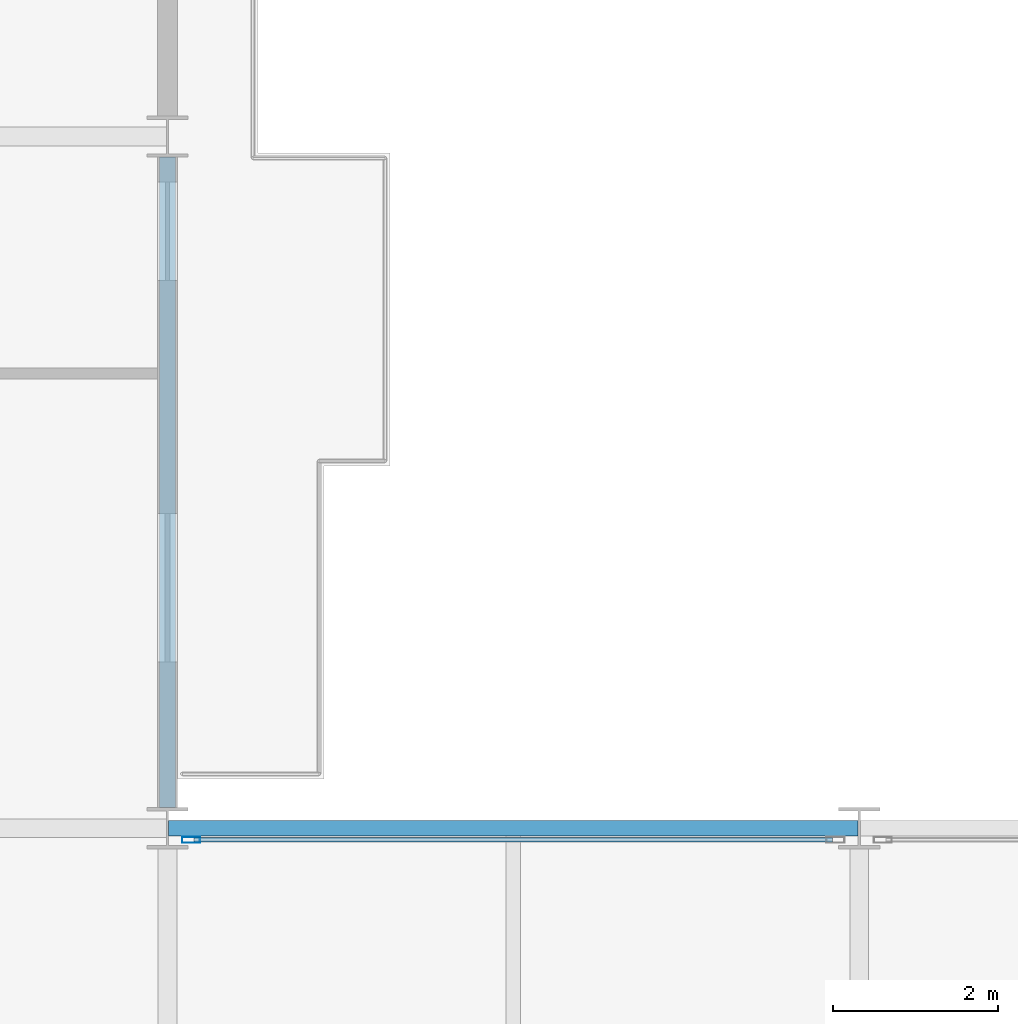
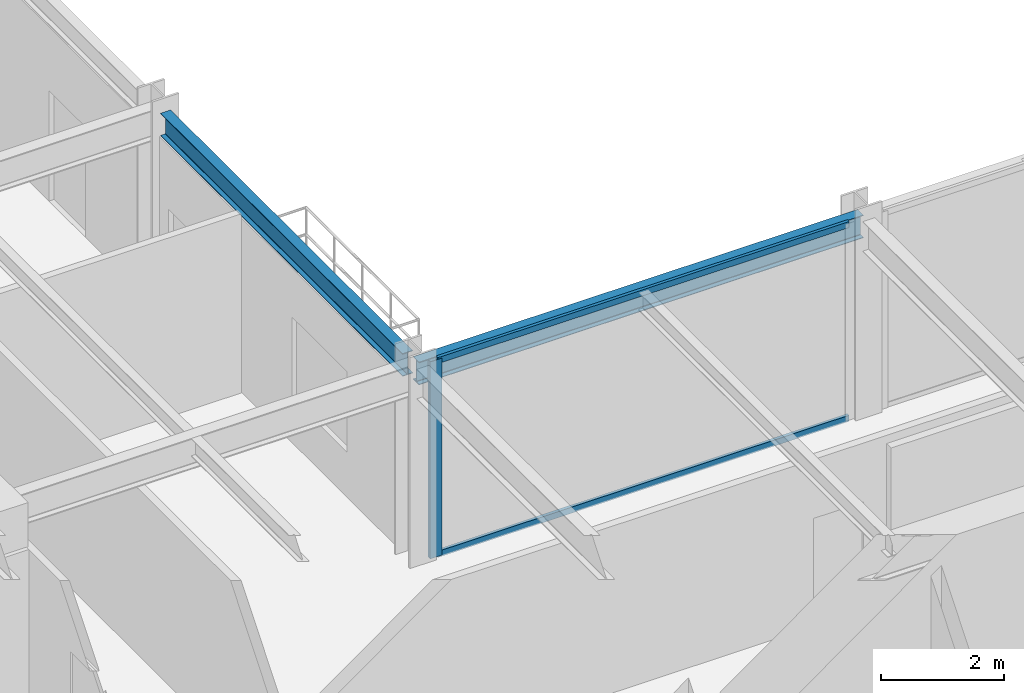
# One storey, part 8 of 24: 3 members, 2 beams, 1 element without a shape of its own.
"""IFC4 building model written with IfcOpenShell, lengths in metres."""

from ifc_helpers import new_model, si_unit, direction, frame, origin, origin_2d, place, context, subcontext, project, spatial, hollow_rectangle, i_section, extrude, material, layer, layer_set, material_profile, profile_set, type_object, element, aggregate, save


model = new_model("IFC4")

# Units and contexts
model_context = context("Model", 3, precision=1e-05, world=origin(), true_north=direction((0.0, 1.0)))
body_context = subcontext(model_context, "Body", "Model", "MODEL_VIEW")
ifc_project = project(units=[si_unit("LENGTHUNIT", "METRE"), si_unit("AREAUNIT", "SQUARE_METRE"), si_unit("VOLUMEUNIT", "CUBIC_METRE"), si_unit("PLANEANGLEUNIT", "RADIAN"), si_unit("MASSUNIT", "GRAM", prefix="KILO")], contexts=[model_context])

# Site, building, storey
site_placement = place(None, origin())
site = spatial("IfcSite", under=ifc_project, at=site_placement, CompositionType="ELEMENT")
building_placement = place(site_placement, origin())
building = spatial("IfcBuilding", under=site, at=building_placement, Name="Nerrivon Quay Data Exchange", CompositionType="ELEMENT")
storey_placement = place(building_placement, frame((0.0, 0.0, 50.0)))
storey = spatial("IfcBuildingStorey", under=building, at=storey_placement, Name="L11", CompositionType="ELEMENT", Elevation=50.0)

# Beams
ifc_material_1 = material(Name="Steel Grade 350", Category="steel")
ifc_material_profile_1 = material_profile(ifc_material_1, i_section(OverallWidth=0.18994140625, OverallDepth=0.4541015625, WebThickness=0.008544921875, FlangeThickness=0.0126953125, FilletRadius=0.011474609375, at=origin_2d()), Name="460UB67.1")
ifc_profile_set_1 = profile_set([ifc_material_profile_1], Name="Steel Grade 350")
beam_type = type_object("IfcBeamType", Name="BM-SP1-460UB67", PredefinedType="SPANDREL", material=ifc_profile_set_1)
beam_1_placement = place(storey_placement, frame((25.214111328125, 25.199951171875, 3.697998046875), z_axis=(1.0, 0.0, 0.0), x_axis=(0.0, 1.0, 0.0)))
element("IfcBeam", 1, at=beam_1_placement, inside=storey, type_object=beam_type, Name="L11 EW Girder Y=25.2 (25.2..33.6)", PredefinedType="SPANDREL", context=body_context, shape_type="SweptSolid", body=[
    extrude(i_section(OverallWidth=0.18994140625, OverallDepth=0.4541015625, WebThickness=0.008544921875, FlangeThickness=0.0126953125, FilletRadius=0.011474609375, at=origin_2d()), origin(), (0.0, 0.0, 1.0), 8.371826171875),
])
beam_2_placement = place(storey_placement, frame((25.199951171875, 25.449951171875, 3.697998046875), z_axis=(0.0, 1.0, 0.0), x_axis=(-1.0, 0.0, 0.0)))
element("IfcBeam", 2, at=beam_2_placement, inside=storey, type_object=beam_type, Name="L11 NS Girder X=25.2 (25.2..33.6)", PredefinedType="SPANDREL", context=body_context, shape_type="SweptSolid", body=[
    extrude(i_section(OverallWidth=0.18994140625, OverallDepth=0.4541015625, WebThickness=0.008544921875, FlangeThickness=0.0126953125, FilletRadius=0.011474609375, at=origin_2d()), origin(), (0.0, 0.0, 1.0), 7.900146484375),
])

# Curtain wall, members
ifc_material_2 = material(Name="Anodised aluminium 6063-T6", Category="aluminium")
ifc_layer = layer(ifc_material_2, 0.219970703125)
ifc_layer_set = layer_set([ifc_layer], Name="Anodised aluminium 6063-T6")
curtain_wall_type = type_object("IfcCurtainWallType", Name="CW-SYS-01", PredefinedType="NOTDEFINED", material=ifc_layer_set)
curtain_wall_placement = place(storey_placement, origin())
curtain_wall = element("IfcCurtainWall", 3, at=curtain_wall_placement, inside=storey, type_object=curtain_wall_type, Name="L11 Unitised Curtain Wall 28", PredefinedType="NOTDEFINED")
ifc_material_profile_2 = material_profile(ifc_material_2, hollow_rectangle(XDim=0.074951171875, YDim=0.219970703125, WallThickness=0.00390625, at=origin_2d()), Name="ALU-MULL-220x75")
ifc_profile_set_2 = profile_set([ifc_material_profile_2], Name="Anodised aluminium 6063-T6")
member_type_1 = type_object("IfcMemberType", Name="CWM-220x75", PredefinedType="MULLION", material=ifc_profile_set_2)
member_1_placement = place(storey_placement, frame((25.487548828125, 25.06005859375, 0.0), z_axis=(0.0, 0.0, 1.0), x_axis=(0.0, 1.0, 0.0)))
member_1 = element("IfcMember", 4, at=member_1_placement, type_object=member_type_1, Name="CW01 mullion 1", PredefinedType="MULLION", context=body_context, shape_type="SweptSolid", body=[
    extrude(hollow_rectangle(XDim=0.074951171875, YDim=0.219970703125, WallThickness=0.00390625, at=origin_2d()), origin(), (0.0, 0.0, 1.0), 3.925048828125),
])
ifc_material_profile_3 = material_profile(ifc_material_2, hollow_rectangle(XDim=0.06005859375, YDim=0.1201171875, WallThickness=0.003173828125, at=origin_2d()), Name="ALU-TRAN-120x60")
ifc_profile_set_3 = profile_set([ifc_material_profile_3], Name="Anodised aluminium 6063-T6")
member_type_2 = type_object("IfcMemberType", Name="CWT-120x60", PredefinedType="USERDEFINED", material=ifc_profile_set_3)
member_2_placement = place(storey_placement, frame((25.52490234375, 25.06005859375, 0.032470703125), z_axis=(1.0, 0.0, 0.0), x_axis=(0.0, 1.0, 0.0)))
member_2 = element("IfcMember", 5, at=member_2_placement, type_object=member_type_2, Name="CW01 transom 1.1", ObjectType="TRANSOM", PredefinedType="USERDEFINED", context=body_context, shape_type="SweptSolid", body=[
    extrude(hollow_rectangle(XDim=0.06005859375, YDim=0.1201171875, WallThickness=0.003173828125, at=origin_2d()), origin(), (0.0, 0.0, 1.0), 7.75),
])
member_3_placement = place(storey_placement, frame((25.52490234375, 25.06005859375, 3.892578125), z_axis=(1.0, 0.0, 0.0), x_axis=(0.0, 1.0, 0.0)))
member_3 = element("IfcMember", 6, at=member_3_placement, type_object=member_type_2, Name="CW01 transom 1.2", ObjectType="TRANSOM", PredefinedType="USERDEFINED", context=body_context, shape_type="SweptSolid", body=[
    extrude(hollow_rectangle(XDim=0.06005859375, YDim=0.1201171875, WallThickness=0.003173828125, at=origin_2d()), origin(), (0.0, 0.0, 1.0), 7.75),
])
aggregate(curtain_wall, [member_1, member_2, member_3])

save(model, "model.ifc")
